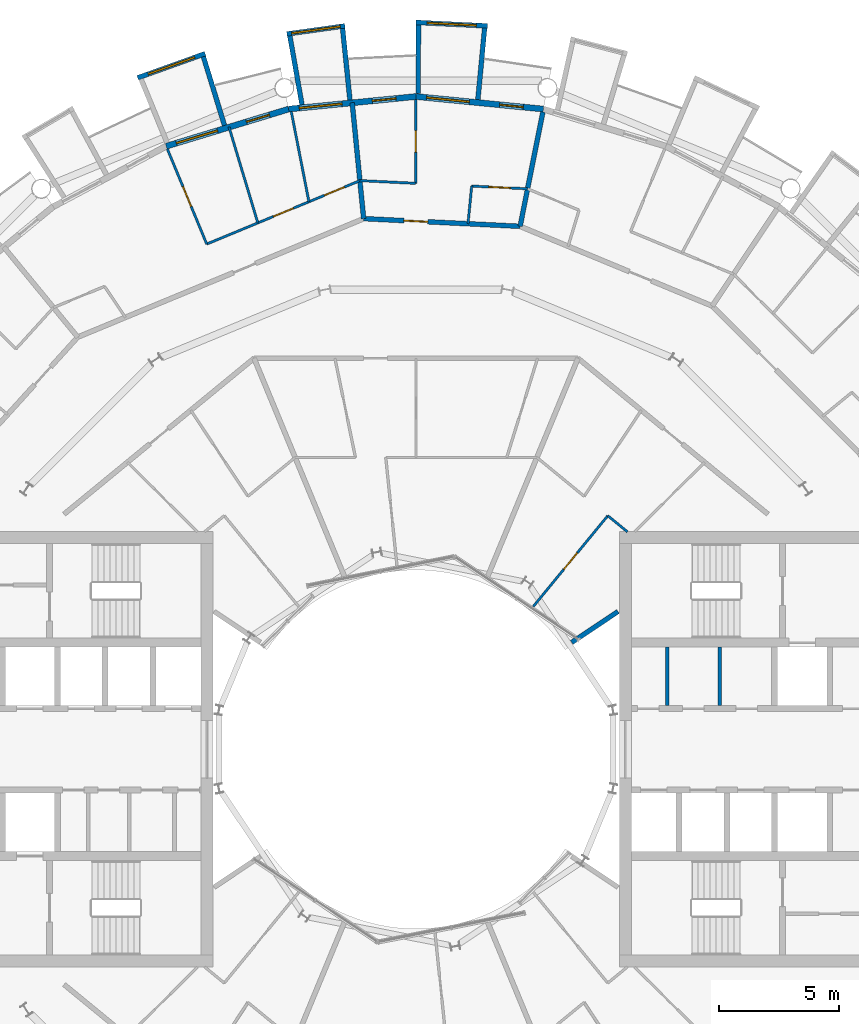
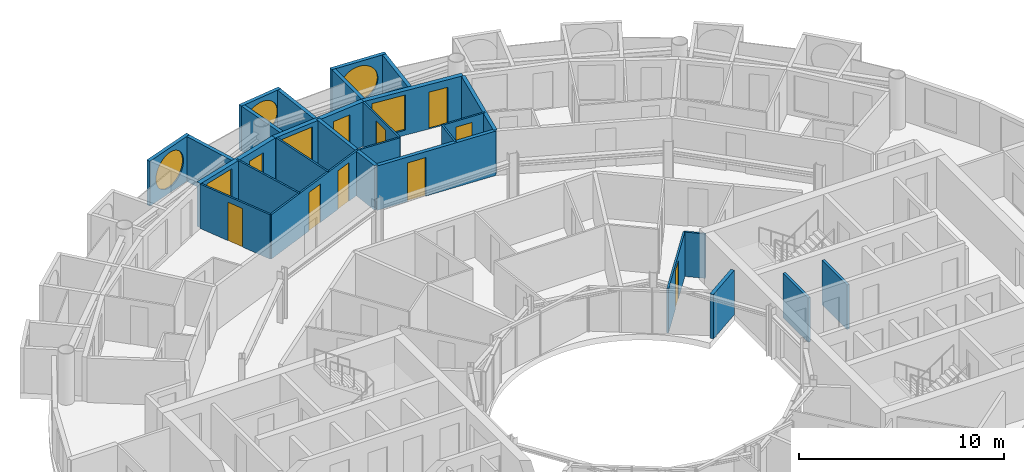
# One storey, part 21 of 26: 27 walls, 10 doors, 6 windows, 16 openings.
"""IFC4 building model written with IfcOpenShell, lengths in metres."""

import ifcopenshell
import ifcopenshell.guid

model = None  # the IFC model being written
_history = None  # IfcOwnerHistory: only IFC2X3 demands one
_inside = {}  # id of a spatial element -> (the spatial element, [elements in it])
_under = {}  # id of a project, library or spatial element -> (it, [spatial elements below it])
_declared = {}  # id of a project -> (the project, [libraries it declares])
_typed = {}  # id of a type object -> (the type object, [elements of that type])
_made_of = {}  # id of a material, layer set ... -> (it, [elements and type objects made of it])


def new_model(schema):
    """Start an empty IFC model of exactly this schema.

    Asked for "IFC4X3", IfcOpenShell would pick the latest addendum, in which some entities
    have other attributes; the version numbers below select the first issue.
    IFC2X3 requires an IfcOwnerHistory on every rooted entity: one is made here for all.
    """
    global model, _history
    if schema == "IFC4X3":
        model = ifcopenshell.file(schema_version=(4, 3, 0, 0))
    else:
        model = ifcopenshell.file(schema=schema)
    _inside.clear()
    _under.clear()
    _declared.clear()
    _typed.clear()
    _made_of.clear()
    _history = None
    if model.schema == "IFC2X3":
        org = make("IfcOrganization", Name="unknown")
        user = make(
            "IfcPersonAndOrganization",
            ThePerson=make("IfcPerson", FamilyName="unknown"),
            TheOrganization=org,
        )
        app = make(
            "IfcApplication",
            ApplicationDeveloper=org,
            Version="unknown",
            ApplicationFullName="unknown",
            ApplicationIdentifier="unknown",
        )
        _history = make(
            "IfcOwnerHistory",
            OwningUser=user,
            OwningApplication=app,
            ChangeAction="ADDED",
            CreationDate=0,
        )
    return model


def make(cls, **values):
    """One entity of the class cls with the attributes given. An attribute that is None is left unset."""
    return model.create_entity(
        cls, **{name: value for name, value in values.items() if value is not None}
    )


def rooted(cls, **values):
    """An entity with a GlobalId (a new one), such as an element, a storey or a relation."""
    return make(cls, GlobalId=ifcopenshell.guid.new(), OwnerHistory=_history, **values)


def si_unit(unit_type, name, prefix=None):
    """IfcSIUnit, for example si_unit("LENGTHUNIT", "METRE", prefix="MILLI")."""
    return make("IfcSIUnit", UnitType=unit_type, Prefix=prefix, Name=name)


def assignment(units):
    """IfcUnitAssignment: the units of a project."""
    return None if units is None else make("IfcUnitAssignment", Units=units)


def point(xyz):
    """IfcCartesianPoint."""
    return None if xyz is None else make("IfcCartesianPoint", Coordinates=xyz)


def direction(xyz):
    """IfcDirection."""
    return None if xyz is None else make("IfcDirection", DirectionRatios=xyz)


def frame(location, z_axis=None, x_axis=None):
    """IfcAxis2Placement3D, a coordinate frame: its origin and axes. An axis left out is left unset."""
    return make(
        "IfcAxis2Placement3D",
        Location=point(location),
        Axis=direction(z_axis),
        RefDirection=direction(x_axis),
    )


def frame_2d(location, x_axis=None):
    """IfcAxis2Placement2D, a coordinate frame in the plane: its origin and x axis."""
    return make(
        "IfcAxis2Placement2D", Location=point(location), RefDirection=direction(x_axis)
    )


def origin():
    """The frame at (0, 0, 0) with its axes left unset."""
    return frame((0.0, 0.0, 0.0))


def place(relative_to, where):
    """IfcLocalPlacement: puts the frame where relative to a parent placement (None: the world)."""
    return make(
        "IfcLocalPlacement", PlacementRelTo=relative_to, RelativePlacement=where
    )


def context(
    kind, dimensions, precision=None, world=None, true_north=None, identifier=None
):
    """IfcGeometricRepresentationContext, for example the 3D "Model" context."""
    return make(
        "IfcGeometricRepresentationContext",
        ContextIdentifier=identifier,
        ContextType=kind,
        CoordinateSpaceDimension=dimensions,
        Precision=precision,
        WorldCoordinateSystem=world,
        TrueNorth=true_north,
    )


def subcontext(parent, identifier, kind, view, scale=None):
    """IfcGeometricRepresentationSubContext, for example "Body" below "Model"."""
    return make(
        "IfcGeometricRepresentationSubContext",
        ContextIdentifier=identifier,
        ContextType=kind,
        ParentContext=parent,
        TargetScale=scale,
        TargetView=view,
    )


def project(units=None, contexts=None):
    """IfcProject with its units and contexts."""
    return rooted(
        "IfcProject",
        Name="project",
        RepresentationContexts=contexts,
        UnitsInContext=assignment(units),
    )


def spatial(cls, under=None, at=None, **own):
    """A site, building, storey or space (cls), placed at a placement, below another one or the project."""
    s = rooted(cls, ObjectPlacement=at, **own)
    if under is not None:
        _under.setdefault(under.id(), (under, []))[1].append(s)
    return s


def profile(cls, at=None, kind="AREA", **sizes):
    """A parametric profile (cls). Its sizes go by their IFC names, for example OverallWidth=200.0."""
    return make(cls, ProfileType=kind, Position=at, **sizes)


def rectangle(**sizes):
    """IfcRectangleProfileDef."""
    return profile("IfcRectangleProfileDef", **sizes)


def circle(**sizes):
    """IfcCircleProfileDef."""
    return profile("IfcCircleProfileDef", **sizes)


def extrude(swept, where, along, depth):
    """IfcExtrudedAreaSolid: the profile swept, set in the frame where, extruded along a direction by depth."""
    return make(
        "IfcExtrudedAreaSolid",
        SweptArea=swept,
        Position=where,
        ExtrudedDirection=direction(along),
        Depth=depth,
    )


def shape(context_of_items, identifier, shape_type, items):
    """IfcShapeRepresentation: the items that make up one representation, for example the "Body"."""
    return make(
        "IfcShapeRepresentation",
        ContextOfItems=context_of_items,
        RepresentationIdentifier=identifier,
        RepresentationType=shape_type,
        Items=items,
    )


def material(Name=None, Category=None):
    """IfcMaterial."""
    return make("IfcMaterial", Name=Name, Category=Category)


def layer(
    of_material, thickness, ventilated=None, Name=None, Category=None, Priority=None
):
    """IfcMaterialLayer: one layer of a wall or slab, of a material (None: an air gap)."""
    return make(
        "IfcMaterialLayer",
        Material=of_material,
        LayerThickness=thickness,
        IsVentilated=ventilated,
        Name=Name,
        Category=Category,
        Priority=Priority,
    )


def layer_set(layers, Name=None):
    """IfcMaterialLayerSet."""
    return make("IfcMaterialLayerSet", MaterialLayers=layers, LayerSetName=Name)


def made_of(thing, what):
    """Note that an element or type object is made of a material, layer set ...; save() writes the relation."""
    if what is not None:
        _made_of.setdefault(what.id(), (what, []))[1].append(thing)
    return thing


def type_object(cls, material=None, **own):
    """A type object (cls), such as IfcWallType, which elements share."""
    return made_of(rooted(cls, **own), material)


def element(
    cls,
    number,
    at=None,
    inside=None,
    cuts=None,
    type_object=None,
    material=None,
    context=None,
    identifier="Body",
    shape_type=None,
    held_by="IfcProductDefinitionShape",
    body=None,
    shapes=None,
    **own,
):
    """One element of the class cls, such as IfcWall. Its Tag is "e" and its number.

    at: its placement. inside: the storey or other place that contains it. cuts: it is an
    opening in that element (IfcRelVoidsElement). A single representation is given by context,
    identifier, shape_type and body (its items); several are given by shapes. held_by: the class
    of the entity that holds the representations. save() writes the other relations.
    """
    e = rooted(cls, Tag="e%d" % number, ObjectPlacement=at, **own)
    if body is not None:
        shapes = [shape(context, identifier, shape_type, body)]
    if shapes is not None:
        e.Representation = make(held_by, Representations=shapes)
    if inside is not None:
        _inside.setdefault(inside.id(), (inside, []))[1].append(e)
    if cuts is not None:
        rooted(
            "IfcRelVoidsElement", RelatingBuildingElement=cuts, RelatedOpeningElement=e
        )
    if type_object is not None:
        _typed.setdefault(type_object.id(), (type_object, []))[1].append(e)
    return made_of(e, material)


def fill(opening, filler):
    """IfcRelFillsElement: the door or window that sits in an opening."""
    return rooted(
        "IfcRelFillsElement",
        RelatingOpeningElement=opening,
        RelatedBuildingElement=filler,
    )


def aggregate(whole, parts):
    """IfcRelAggregates: a whole, such as a stair, and the parts it consists of."""
    return rooted("IfcRelAggregates", RelatingObject=whole, RelatedObjects=parts)


def save(model, path):
    """Write the relations noted so far, then the file.

    IfcRelAggregates (storeys below a building ...), IfcRelContainedInSpatialStructure (elements
    in a storey), IfcRelDefinesByType, IfcRelAssociatesMaterial and IfcRelDeclares: one each for
    every whole, place, type object, material and project.
    """
    for whole, parts in _under.values():
        aggregate(whole, parts)
    for where, things in _inside.values():
        rooted(
            "IfcRelContainedInSpatialStructure",
            RelatedElements=things,
            RelatingStructure=where,
        )
    for kind, things in _typed.values():
        rooted("IfcRelDefinesByType", RelatedObjects=things, RelatingType=kind)
    for what, things in _made_of.values():
        rooted("IfcRelAssociatesMaterial", RelatedObjects=things, RelatingMaterial=what)
    for by, libraries in _declared.values():
        rooted("IfcRelDeclares", RelatingContext=by, RelatedDefinitions=libraries)
    model.write(path)


model = new_model("IFC4")

# Units and contexts
model_context = context("Model", 3, precision=1e-05, world=origin(), true_north=direction((0.0, 1.0)))
body_context = subcontext(model_context, "Body", "Model", "MODEL_VIEW")
ifc_project = project(units=[si_unit("LENGTHUNIT", "METRE"), si_unit("AREAUNIT", "SQUARE_METRE"), si_unit("VOLUMEUNIT", "CUBIC_METRE"), si_unit("PLANEANGLEUNIT", "RADIAN"), si_unit("MASSUNIT", "GRAM", prefix="KILO")], contexts=[model_context])

# Site, building, storey
site_placement = place(None, origin())
site = spatial("IfcSite", under=ifc_project, at=site_placement, CompositionType="ELEMENT")
building_placement = place(site_placement, origin())
building = spatial("IfcBuilding", under=site, at=building_placement, Name="Maasbend Ring Residences", CompositionType="ELEMENT")
storey_placement = place(building_placement, frame((0.0, 0.0, 176.85009765625)))
storey = spatial("IfcBuildingStorey", under=building, at=storey_placement, Name="L51", CompositionType="ELEMENT", Elevation=176.85009765625)

# Wall, opening, door
ifc_material_1 = material(Name="Concrete C30/37", Category="concrete")
ifc_layer_1 = layer(ifc_material_1, 0.199951171875)
ifc_layer_set_1 = layer_set([ifc_layer_1], Name="Concrete C30/37")
wall_type_1 = type_object("IfcWallType", Name="CORRIDOR WALL 200 CONCRETE", PredefinedType="PARTITIONING", material=ifc_layer_set_1)
wall_1_placement = place(storey_placement, frame((-2.18603515625, 22.193115234375, 0.0), z_axis=(0.0, 0.0, 1.0), x_axis=(0.998796224858, -0.049052025534, 0.0)))
wall_1 = element("IfcWall", 1, at=wall_1_placement, inside=storey, type_object=wall_type_1, Name="U-L51-w113", PredefinedType="PARTITIONING", context=body_context, shape_type="SweptSolid", body=[
    extrude(rectangle(XDim=6.544921875, YDim=0.199951171875, at=frame_2d((3.2724609375, 0.0))), origin(), (0.0, 0.0, 1.0), 2.64990234375),
])
opening_1_placement = place(wall_1_placement, frame((1.681884765625, 0.0, 0.0)))
opening_1 = element("IfcOpeningElement", 2, at=opening_1_placement, cuts=wall_1, Name="Opening D-5109", PredefinedType="OPENING", context=body_context, shape_type="SweptSolid", body=[
    extrude(rectangle(XDim=1.0, YDim=2.300048828125, at=frame_2d((0.5, 1.14990234375))), frame((0.0, 0.10986328125, 0.0), z_axis=(0.0, -1.0, 0.0), x_axis=(1.0, 0.0, 0.0)), (0.0, 0.0, 1.0), 0.219970703125),
])
ifc_material_2 = material(Name="Timber, fire-rated, painted", Category="wood")
door_type_1 = type_object("IfcDoorType", Name="FLAT ENTRANCE DOOR 1000 X 2300 FIRE-RATED", OperationType="NOTDEFINED", PredefinedType="DOOR", material=ifc_material_2)
door_1_placement = place(opening_1_placement, origin())
door_1 = element("IfcDoor", 3, at=door_1_placement, inside=storey, type_object=door_type_1, Name="D-5109", OperationType="SINGLE_SWING_LEFT", OverallHeight=2.300048828125, OverallWidth=1.0, PredefinedType="DOOR", context=body_context, shape_type="SweptSolid", body=[
    extrude(rectangle(XDim=1.0, YDim=2.300048828125, at=frame_2d((0.5, 1.14990234375))), frame((0.0, 0.02490234375, 0.0), z_axis=(0.0, -1.0, 0.0), x_axis=(1.0, 0.0, 0.0)), (0.0, 0.0, 1.0), 0.050048828125),
])
fill(opening_1, door_1)

# Wall, opening, window
ifc_material_3 = material(Name="Pale anodised aluminium panel", Category="aluminium")
ifc_layer_2 = layer(ifc_material_3, 0.199951171875)
ifc_layer_set_2 = layer_set([ifc_layer_2], Name="EW-BOX")
wall_type_2 = type_object("IfcWallType", Name="EW-BOX", PredefinedType="SOLIDWALL", material=ifc_layer_set_2)
wall_2_placement = place(storey_placement, frame((2.985107421875, 30.2529296875, -0.030029296875), z_axis=(0.0, 0.0, 1.0), x_axis=(-0.998794083011, 0.049095618353, 0.0)))
wall_2 = element("IfcWall", 4, at=wall_2_placement, inside=storey, type_object=wall_type_2, Name="Box front N10", PredefinedType="SOLIDWALL", context=body_context, shape_type="SweptSolid", body=[
    extrude(rectangle(XDim=2.99365234375, YDim=0.199951171875, at=frame_2d((1.496826171875, 0.0))), origin(), (0.0, 0.0, 1.0), 2.679931640625),
])
opening_2_placement = place(wall_2_placement, frame((0.45654296875, 0.0, 0.330078125)))
opening_2 = element("IfcOpeningElement", 5, at=opening_2_placement, cuts=wall_2, Name="Opening W-RD", PredefinedType="OPENING", context=body_context, shape_type="SweptSolid", body=[
    extrude(circle(Radius=1.0400390625, at=frame_2d((1.0400390625, 1.0400390625))), frame((0.0, 0.10986328125, 0.0), z_axis=(0.0, -1.0, 0.0), x_axis=(1.0, 0.0, 0.0)), (0.0, 0.0, 1.0), 0.219970703125),
])
ifc_material_4 = material(Name="Aluminium and clear glass", Category="aluminium")
window_type_1 = type_object("IfcWindowType", Name="W-RD", PartitioningType="SINGLE_PANEL", PredefinedType="WINDOW", material=ifc_material_4)
window_1_placement = place(opening_2_placement, origin())
window_1 = element("IfcWindow", 6, at=window_1_placement, inside=storey, type_object=window_type_1, Name="Round window N10", OverallHeight=2.080078125, OverallWidth=2.080078125, PartitioningType="SINGLE_PANEL", PredefinedType="WINDOW", context=body_context, shape_type="SweptSolid", body=[
    extrude(circle(Radius=1.0400390625, at=frame_2d((1.0400390625, 1.0400390625))), frame((0.0, 0.030029296875, 0.0), z_axis=(0.0, -1.0, 0.0), x_axis=(1.0, 0.0, 0.0)), (0.0, 0.0, 1.0), 0.06005859375),
])
fill(opening_2, window_1)

# Walls
wall_3_placement = place(storey_placement, frame((2.5859375, 27.1708984375, -0.030029296875), z_axis=(0.0, 0.0, 1.0), x_axis=(0.094548432284, 0.995520262954, 0.0)))
element("IfcWall", 7, at=wall_3_placement, inside=storey, type_object=wall_type_2, Name="Box side wall N10 left", PredefinedType="SOLIDWALL", context=body_context, shape_type="SweptSolid", body=[
    extrude(rectangle(XDim=3.005615234375, YDim=0.199951171875, at=frame_2d((1.5029296875, 0.0))), origin(), (0.0, 0.0, 1.0), 2.679931640625),
])
wall_4_placement = place(storey_placement, frame((0.090087890625, 27.4169921875, -0.030029296875), z_axis=(0.0, 0.0, 1.0), x_axis=(0.00347308367, 0.999993968827, 0.0)))
element("IfcWall", 8, at=wall_4_placement, inside=storey, type_object=wall_type_2, Name="Box side wall N10 right", PredefinedType="SOLIDWALL", context=body_context, shape_type="SweptSolid", body=[
    extrude(rectangle(XDim=2.882080078125, YDim=0.199951171875, at=frame_2d((1.44091796875, 0.0))), origin(), (0.0, 0.0, 1.0), 2.679931640625),
])

# Wall, opening, window
wall_5_placement = place(storey_placement, frame((-2.97607421875, 30.25390625, -0.030029296875), z_axis=(0.0, 0.0, 1.0), x_axis=(-0.990462016113, -0.137786046596, 0.0)))
wall_5 = element("IfcWall", 9, at=wall_5_placement, inside=storey, type_object=wall_type_2, Name="Box front N12", PredefinedType="SOLIDWALL", context=body_context, shape_type="SweptSolid", body=[
    extrude(rectangle(XDim=2.4453125, YDim=0.199951171875, at=frame_2d((1.22265625, 0.0))), origin(), (0.0, 0.0, 1.0), 2.679931640625),
])
opening_3_placement = place(wall_5_placement, frame((0.182861328125, 0.0, 0.330078125)))
opening_3 = element("IfcOpeningElement", 10, at=opening_3_placement, cuts=wall_5, Name="Opening W-RD", PredefinedType="OPENING", context=body_context, shape_type="SweptSolid", body=[
    extrude(circle(Radius=1.0400390625, at=frame_2d((1.0400390625, 1.0400390625))), frame((0.0, 0.10986328125, 0.0), z_axis=(0.0, -1.0, 0.0), x_axis=(1.0, 0.0, 0.0)), (0.0, 0.0, 1.0), 0.219970703125),
])
window_2_placement = place(opening_3_placement, origin())
window_2 = element("IfcWindow", 11, at=window_2_placement, inside=storey, type_object=window_type_1, Name="Round window N12", OverallHeight=2.080078125, OverallWidth=2.080078125, PartitioningType="SINGLE_PANEL", PredefinedType="WINDOW", context=body_context, shape_type="SweptSolid", body=[
    extrude(circle(Radius=1.0400390625, at=frame_2d((1.0400390625, 1.0400390625))), frame((0.0, 0.030029296875, 0.0), z_axis=(0.0, -1.0, 0.0), x_axis=(1.0, 0.0, 0.0)), (0.0, 0.0, 1.0), 0.06005859375),
])
fill(opening_3, window_2)

# Walls
wall_6_placement = place(storey_placement, frame((-2.763916015625, 27.153076171875, -0.030029296875), z_axis=(0.0, 0.0, 1.0), x_axis=(-0.101505487237, 0.994834979311, 0.0)))
element("IfcWall", 12, at=wall_6_placement, inside=storey, type_object=wall_type_2, Name="Box side wall N12 left", PredefinedType="SOLIDWALL", context=body_context, shape_type="SweptSolid", body=[
    extrude(rectangle(XDim=3.006591796875, YDim=0.199951171875, at=frame_2d((1.50341796875, 0.0))), origin(), (0.0, 0.0, 1.0), 2.679931640625),
])
wall_7_placement = place(storey_placement, frame((-4.76904296875, 26.9560546875, -0.030029296875), z_axis=(0.0, 0.0, 1.0), x_axis=(-0.174056778901, 0.984735618183, 0.0)))
element("IfcWall", 13, at=wall_7_placement, inside=storey, type_object=wall_type_2, Name="Box side wall N12 right", PredefinedType="SOLIDWALL", context=body_context, shape_type="SweptSolid", body=[
    extrude(rectangle(XDim=2.924560546875, YDim=0.199951171875, at=frame_2d((1.46240234375, 0.0))), origin(), (0.0, 0.0, 1.0), 2.679931640625),
])

# Wall, opening, window
wall_8_placement = place(storey_placement, frame((-8.820068359375, 29.093017578125, -0.030029296875), z_axis=(0.0, 0.0, 1.0), x_axis=(-0.941461077774, -0.337121697664, 0.0)))
wall_8 = element("IfcWall", 14, at=wall_8_placement, inside=storey, type_object=wall_type_2, Name="Box front N14", PredefinedType="SOLIDWALL", context=body_context, shape_type="SweptSolid", body=[
    extrude(rectangle(XDim=2.9931640625, YDim=0.199951171875, at=frame_2d((1.49658203125, 0.0))), origin(), (0.0, 0.0, 1.0), 2.679931640625),
])
opening_4_placement = place(wall_8_placement, frame((0.45654296875, 0.0, 0.330078125)))
opening_4 = element("IfcOpeningElement", 15, at=opening_4_placement, cuts=wall_8, Name="Opening W-RD", PredefinedType="OPENING", context=body_context, shape_type="SweptSolid", body=[
    extrude(circle(Radius=1.0400390625, at=frame_2d((1.0400390625, 1.0400390625))), frame((0.0, 0.10986328125, 0.0), z_axis=(0.0, -1.0, 0.0), x_axis=(1.0, 0.0, 0.0)), (0.0, 0.0, 1.0), 0.219970703125),
])
window_3_placement = place(opening_4_placement, origin())
window_3 = element("IfcWindow", 16, at=window_3_placement, inside=storey, type_object=window_type_1, Name="Round window N14", OverallHeight=2.080078125, OverallWidth=2.080078125, PartitioningType="SINGLE_PANEL", PredefinedType="WINDOW", context=body_context, shape_type="SweptSolid", body=[
    extrude(circle(Radius=1.0400390625, at=frame_2d((1.0400390625, 1.0400390625))), frame((0.0, 0.030029296875, 0.0), z_axis=(0.0, -1.0, 0.0), x_axis=(1.0, 0.0, 0.0)), (0.0, 0.0, 1.0), 0.06005859375),
])
fill(opening_4, window_3)

# Wall
wall_9_placement = place(storey_placement, frame((-8.009033203125, 26.092041015625, -0.030029296875), z_axis=(0.0, 0.0, 1.0), x_axis=(-0.293406695073, 0.955987715029, 0.0)))
element("IfcWall", 17, at=wall_9_placement, inside=storey, type_object=wall_type_2, Name="Box side wall N14 left", PredefinedType="SOLIDWALL", context=body_context, shape_type="SweptSolid", body=[
    extrude(rectangle(XDim=3.00634765625, YDim=0.199951171875, at=frame_2d((1.503173828125, 0.0))), origin(), (0.0, 0.0, 1.0), 2.679931640625),
])

# Wall, openings, door, window
ifc_material_5 = material(Name="Aluminium clad insulated panel", Category="aluminium")
ifc_layer_3 = layer(ifc_material_5, 0.25)
ifc_layer_set_3 = layer_set([ifc_layer_3], Name="EW-GL")
wall_type_3 = type_object("IfcWallType", Name="EW-GL", PredefinedType="SOLIDWALL", material=ifc_layer_set_3)
wall_10_placement = place(storey_placement, frame((5.325927734375, 26.77490234375, 0.0), z_axis=(0.0, 0.0, 1.0), x_axis=(-0.995173996315, 0.098126026407, 0.0)))
wall_10 = element("IfcWall", 18, at=wall_10_placement, inside=storey, type_object=wall_type_3, Name="External wall N05", PredefinedType="SOLIDWALL", context=body_context, shape_type="SweptSolid", body=[
    extrude(rectangle(XDim=5.351806640625, YDim=0.25, at=frame_2d((2.67578125, 0.0))), origin(), (0.0, 0.0, 1.0), 2.64990234375),
])
opening_5_placement = place(wall_10_placement, frame((0.841064453125, 0.0, 0.0)))
opening_5 = element("IfcOpeningElement", 19, at=opening_5_placement, cuts=wall_10, Name="Opening D-LG", PredefinedType="OPENING", context=body_context, shape_type="SweptSolid", body=[
    extrude(rectangle(XDim=1.0, YDim=2.199951171875, at=frame_2d((0.5, 1.10009765625))), frame((0.0, 0.135009765625, 0.0), z_axis=(0.0, -1.0, 0.0), x_axis=(1.0, 0.0, 0.0)), (0.0, 0.0, 1.0), 0.27001953125),
])
opening_6_placement = place(wall_10_placement, frame((3.110595703125, 0.0, 0.300048828125)))
opening_6 = element("IfcOpeningElement", 20, at=opening_6_placement, cuts=wall_10, Name="Opening W-BX", PredefinedType="OPENING", context=body_context, shape_type="SweptSolid", body=[
    extrude(rectangle(XDim=1.800048828125, YDim=2.10009765625, at=frame_2d((0.89990234375, 1.050048828125))), frame((0.0, 0.135009765625, 0.0), z_axis=(0.0, -1.0, 0.0), x_axis=(1.0, 0.0, 0.0)), (0.0, 0.0, 1.0), 0.27001953125),
])
ifc_material_6 = material(Name="Aluminium and clear glass", Category="aluminium")
door_type_2 = type_object("IfcDoorType", Name="D-LG", OperationType="SINGLE_SWING_LEFT", PredefinedType="DOOR", material=ifc_material_6)
door_2_placement = place(opening_5_placement, origin())
door_2 = element("IfcDoor", 21, at=door_2_placement, inside=storey, type_object=door_type_2, Name="Loggia door N09", OperationType="SINGLE_SWING_LEFT", OverallHeight=2.199951171875, OverallWidth=1.0, PredefinedType="DOOR", context=body_context, shape_type="SweptSolid", body=[
    extrude(rectangle(XDim=1.0, YDim=2.199951171875, at=frame_2d((0.5, 1.10009765625))), frame((0.0, 0.02490234375, 0.0), z_axis=(0.0, -1.0, 0.0), x_axis=(1.0, 0.0, 0.0)), (0.0, 0.0, 1.0), 0.050048828125),
])
fill(opening_5, door_2)
ifc_material_7 = material(Name="Aluminium and clear glass", Category="aluminium")
window_type_2 = type_object("IfcWindowType", Name="W-BX", PartitioningType="DOUBLE_PANEL_VERTICAL", PredefinedType="WINDOW", material=ifc_material_7)
window_4_placement = place(opening_6_placement, origin())
window_4 = element("IfcWindow", 22, at=window_4_placement, inside=storey, type_object=window_type_2, Name="Window N10 room to box", OverallHeight=2.10009765625, OverallWidth=1.800048828125, PartitioningType="SINGLE_PANEL", PredefinedType="WINDOW", context=body_context, shape_type="SweptSolid", body=[
    extrude(rectangle(XDim=1.800048828125, YDim=2.10009765625, at=frame_2d((0.89990234375, 1.050048828125))), frame((0.0, 0.030029296875, 0.0), z_axis=(0.0, -1.0, 0.0), x_axis=(1.0, 0.0, 0.0)), (0.0, 0.0, 1.0), 0.06005859375),
])
fill(opening_6, window_4)

wall_11_placement = place(storey_placement, frame((0.0, 27.300048828125, 0.0), z_axis=(0.0, 0.0, 1.0), x_axis=(-0.995173996315, -0.098126026407, 0.0)))
wall_11 = element("IfcWall", 23, at=wall_11_placement, inside=storey, type_object=wall_type_3, Name="External wall N06", PredefinedType="SOLIDWALL", context=body_context, shape_type="SweptSolid", body=[
    extrude(rectangle(XDim=5.351806640625, YDim=0.25, at=frame_2d((2.67578125, 0.0))), origin(), (0.0, 0.0, 1.0), 2.64990234375),
])
opening_7_placement = place(wall_11_placement, frame((0.841064453125, 0.0, 0.0)))
opening_7 = element("IfcOpeningElement", 24, at=opening_7_placement, cuts=wall_11, Name="Opening D-LG", PredefinedType="OPENING", context=body_context, shape_type="SweptSolid", body=[
    extrude(rectangle(XDim=1.0, YDim=2.199951171875, at=frame_2d((0.5, 1.10009765625))), frame((0.0, 0.135009765625, 0.0), z_axis=(0.0, -1.0, 0.0), x_axis=(1.0, 0.0, 0.0)), (0.0, 0.0, 1.0), 0.27001953125),
])
opening_8_placement = place(wall_11_placement, frame((3.110595703125, 0.0, 0.300048828125)))
opening_8 = element("IfcOpeningElement", 25, at=opening_8_placement, cuts=wall_11, Name="Opening W-BX", PredefinedType="OPENING", context=body_context, shape_type="SweptSolid", body=[
    extrude(rectangle(XDim=1.800048828125, YDim=2.10009765625, at=frame_2d((0.89990234375, 1.050048828125))), frame((0.0, 0.135009765625, 0.0), z_axis=(0.0, -1.0, 0.0), x_axis=(1.0, 0.0, 0.0)), (0.0, 0.0, 1.0), 0.27001953125),
])
door_3_placement = place(opening_7_placement, origin())
door_3 = element("IfcDoor", 26, at=door_3_placement, inside=storey, type_object=door_type_2, Name="Loggia door N11", OperationType="SINGLE_SWING_LEFT", OverallHeight=2.199951171875, OverallWidth=1.0, PredefinedType="DOOR", context=body_context, shape_type="SweptSolid", body=[
    extrude(rectangle(XDim=1.0, YDim=2.199951171875, at=frame_2d((0.5, 1.10009765625))), frame((0.0, 0.02490234375, 0.0), z_axis=(0.0, -1.0, 0.0), x_axis=(1.0, 0.0, 0.0)), (0.0, 0.0, 1.0), 0.050048828125),
])
fill(opening_7, door_3)
window_5_placement = place(opening_8_placement, origin())
window_5 = element("IfcWindow", 27, at=window_5_placement, inside=storey, type_object=window_type_2, Name="Window N12 room to box", OverallHeight=2.10009765625, OverallWidth=1.800048828125, PartitioningType="SINGLE_PANEL", PredefinedType="WINDOW", context=body_context, shape_type="SweptSolid", body=[
    extrude(rectangle(XDim=1.800048828125, YDim=2.10009765625, at=frame_2d((0.89990234375, 1.050048828125))), frame((0.0, 0.030029296875, 0.0), z_axis=(0.0, -1.0, 0.0), x_axis=(1.0, 0.0, 0.0)), (0.0, 0.0, 1.0), 0.06005859375),
])
fill(opening_8, window_5)

wall_12_placement = place(storey_placement, frame((-5.325927734375, 26.77490234375, 0.0), z_axis=(0.0, 0.0, 1.0), x_axis=(-0.956965678721, -0.290201119486, 0.0)))
wall_12 = element("IfcWall", 28, at=wall_12_placement, inside=storey, type_object=wall_type_3, Name="External wall N07", PredefinedType="SOLIDWALL", context=body_context, shape_type="SweptSolid", body=[
    extrude(rectangle(XDim=5.351318359375, YDim=0.25, at=frame_2d((2.67578125, 0.0))), origin(), (0.0, 0.0, 1.0), 2.64990234375),
])
opening_9_placement = place(wall_12_placement, frame((0.841064453125, 0.0, 0.0)))
opening_9 = element("IfcOpeningElement", 29, at=opening_9_placement, cuts=wall_12, Name="Opening D-LG", PredefinedType="OPENING", context=body_context, shape_type="SweptSolid", body=[
    extrude(rectangle(XDim=1.0, YDim=2.199951171875, at=frame_2d((0.5, 1.10009765625))), frame((0.0, 0.135009765625, 0.0), z_axis=(0.0, -1.0, 0.0), x_axis=(1.0, 0.0, 0.0)), (0.0, 0.0, 1.0), 0.27001953125),
])
opening_10_placement = place(wall_12_placement, frame((3.110595703125, 0.0, 0.300048828125)))
opening_10 = element("IfcOpeningElement", 30, at=opening_10_placement, cuts=wall_12, Name="Opening W-BX", PredefinedType="OPENING", context=body_context, shape_type="SweptSolid", body=[
    extrude(rectangle(XDim=1.800048828125, YDim=2.10009765625, at=frame_2d((0.89990234375, 1.050048828125))), frame((0.0, 0.135009765625, 0.0), z_axis=(0.0, -1.0, 0.0), x_axis=(1.0, 0.0, 0.0)), (0.0, 0.0, 1.0), 0.27001953125),
])
door_4_placement = place(opening_9_placement, origin())
door_4 = element("IfcDoor", 31, at=door_4_placement, inside=storey, type_object=door_type_2, Name="Loggia door N13", OperationType="SINGLE_SWING_LEFT", OverallHeight=2.199951171875, OverallWidth=1.0, PredefinedType="DOOR", context=body_context, shape_type="SweptSolid", body=[
    extrude(rectangle(XDim=1.0, YDim=2.199951171875, at=frame_2d((0.5, 1.10009765625))), frame((0.0, 0.02490234375, 0.0), z_axis=(0.0, -1.0, 0.0), x_axis=(1.0, 0.0, 0.0)), (0.0, 0.0, 1.0), 0.050048828125),
])
fill(opening_9, door_4)
window_6_placement = place(opening_10_placement, origin())
window_6 = element("IfcWindow", 32, at=window_6_placement, inside=storey, type_object=window_type_2, Name="Window N14 room to box", OverallHeight=2.10009765625, OverallWidth=1.800048828125, PartitioningType="SINGLE_PANEL", PredefinedType="WINDOW", context=body_context, shape_type="SweptSolid", body=[
    extrude(rectangle(XDim=1.800048828125, YDim=2.10009765625, at=frame_2d((0.89990234375, 1.050048828125))), frame((0.0, 0.030029296875, 0.0), z_axis=(0.0, -1.0, 0.0), x_axis=(1.0, 0.0, 0.0)), (0.0, 0.0, 1.0), 0.06005859375),
])
fill(opening_10, window_6)

# Wall, opening, door
ifc_material_8 = material(Name="Gypsum board on steel studs", Category="steel")
ifc_layer_4 = layer(ifc_material_8, 0.10009765625)
ifc_layer_set_4 = layer_set([ifc_layer_4], Name="PARTITION 100 GYPSUM")
wall_type_4 = type_object("IfcWallType", Name="PARTITION 100 GYPSUM", PredefinedType="PARTITIONING", material=ifc_layer_set_4)
wall_13_placement = place(storey_placement, frame((-10.39892578125, 25.10595703125, 0.0), z_axis=(0.0, 0.0, 1.0), x_axis=(0.382689142274, -0.923877167369, 0.0)))
wall_13 = element("IfcWall", 33, at=wall_13_placement, inside=storey, type_object=wall_type_4, Name="U-L51-w045", PredefinedType="PARTITIONING", context=body_context, shape_type="SweptSolid", body=[
    extrude(rectangle(XDim=4.3037109375, YDim=0.10009765625, at=frame_2d((2.15185546875, 0.0))), origin(), (0.0, 0.0, 1.0), 2.64990234375),
])
opening_11_placement = place(wall_13_placement, frame((1.701904296875, 0.0, 0.0)))
opening_11 = element("IfcOpeningElement", 34, at=opening_11_placement, cuts=wall_13, Name="Opening D-5114", PredefinedType="OPENING", context=body_context, shape_type="SweptSolid", body=[
    extrude(rectangle(XDim=0.89990234375, YDim=2.300048828125, at=frame_2d((0.449951171875, 1.14990234375))), frame((0.0, 0.06005859375, 0.0), z_axis=(0.0, -1.0, 0.0), x_axis=(1.0, 0.0, 0.0)), (0.0, 0.0, 1.0), 0.1201171875),
])
ifc_material_9 = material(Name="Timber, painted", Category="wood")
door_type_3 = type_object("IfcDoorType", Name="INTERNAL DOOR 900 X 2300", OperationType="NOTDEFINED", PredefinedType="DOOR", material=ifc_material_9)
door_5_placement = place(opening_11_placement, origin())
door_5 = element("IfcDoor", 35, at=door_5_placement, inside=storey, type_object=door_type_3, Name="D-5114", OperationType="SINGLE_SWING_LEFT", OverallHeight=2.300048828125, OverallWidth=0.89990234375, PredefinedType="DOOR", context=body_context, shape_type="SweptSolid", body=[
    extrude(rectangle(XDim=0.89990234375, YDim=2.300048828125, at=frame_2d((0.449951171875, 1.14990234375))), frame((0.0, 0.02490234375, 0.0), z_axis=(0.0, -1.0, 0.0), x_axis=(1.0, 0.0, 0.0)), (0.0, 0.0, 1.0), 0.050048828125),
])
fill(opening_11, door_5)

# Walls
wall_14_placement = place(storey_placement, frame((-7.821044921875, 26.02490234375, 0.0), z_axis=(0.0, 0.0, 1.0), x_axis=(0.287802539521, -0.957689771401, 0.0)))
element("IfcWall", 36, at=wall_14_placement, inside=storey, type_object=wall_type_4, Name="U-L51-w050", PredefinedType="PARTITIONING", context=body_context, shape_type="SweptSolid", body=[
    extrude(rectangle(XDim=4.187255859375, YDim=0.10009765625, at=frame_2d((2.09375, 0.0))), origin(), (0.0, 0.0, 1.0), 2.64990234375),
])
wall_15_placement = place(storey_placement, frame((-5.217041015625, 26.669921875, 0.0), z_axis=(0.0, 0.0, 1.0), x_axis=(0.192118055779, -0.981371821811, 0.0)))
element("IfcWall", 37, at=wall_15_placement, inside=storey, type_object=wall_type_4, Name="U-L51-w054", PredefinedType="PARTITIONING", context=body_context, shape_type="SweptSolid", body=[
    extrude(rectangle(XDim=3.841552734375, YDim=0.10009765625, at=frame_2d((1.9208984375, 0.0))), origin(), (0.0, 0.0, 1.0), 2.64990234375),
])

# Wall, opening, door
wall_16_placement = place(storey_placement, frame((-0.008056640625, 23.669921875, 0.0), z_axis=(0.0, 0.0, 1.0), x_axis=(-0.000278609727, 0.999999961188, 0.0)))
wall_16 = element("IfcWall", 38, at=wall_16_placement, inside=storey, type_object=wall_type_4, Name="U-L51-w060", PredefinedType="PARTITIONING", context=body_context, shape_type="SweptSolid", body=[
    extrude(rectangle(XDim=3.505126953125, YDim=0.10009765625, at=frame_2d((1.75244140625, 0.0))), origin(), (0.0, 0.0, 1.0), 2.64990234375),
])
opening_12_placement = place(wall_16_placement, frame((1.302978515625, 0.0, 0.0)))
opening_12 = element("IfcOpeningElement", 39, at=opening_12_placement, cuts=wall_16, Name="Opening D-5111", PredefinedType="OPENING", context=body_context, shape_type="SweptSolid", body=[
    extrude(rectangle(XDim=0.89990234375, YDim=2.300048828125, at=frame_2d((0.449951171875, 1.14990234375))), frame((0.0, 0.06005859375, 0.0), z_axis=(0.0, -1.0, 0.0), x_axis=(1.0, 0.0, 0.0)), (0.0, 0.0, 1.0), 0.1201171875),
])
door_6_placement = place(opening_12_placement, origin())
door_6 = element("IfcDoor", 40, at=door_6_placement, inside=storey, type_object=door_type_3, Name="D-5111", OperationType="SINGLE_SWING_RIGHT", OverallHeight=2.300048828125, OverallWidth=0.89990234375, PredefinedType="DOOR", context=body_context, shape_type="SweptSolid", body=[
    extrude(rectangle(XDim=0.89990234375, YDim=2.300048828125, at=frame_2d((0.449951171875, 1.14990234375))), frame((0.0, 0.02490234375, 0.0), z_axis=(0.0, -1.0, 0.0), x_axis=(1.0, 0.0, 0.0)), (0.0, 0.0, 1.0), 0.050048828125),
])
fill(opening_12, door_6)

# Wall
wall_17_placement = place(storey_placement, frame((2.172119140625, 21.97900390625, 0.0), z_axis=(0.0, 0.0, 1.0), x_axis=(0.098358845227, 0.995151012443, 0.0)))
element("IfcWall", 41, at=wall_17_placement, inside=storey, type_object=wall_type_4, Name="U-L51-w065", PredefinedType="PARTITIONING", context=body_context, shape_type="SweptSolid", body=[
    extrude(rectangle(XDim=1.58349609375, YDim=0.10009765625, at=frame_2d((0.791748046875, 0.0))), origin(), (0.0, 0.0, 1.0), 2.64990234375),
])

# Wall, opening, door
wall_18_placement = place(storey_placement, frame((4.89794921875, 5.968017578125, 0.0), z_axis=(0.0, 0.0, 1.0), x_axis=(0.634401778971, 0.773003481776, 0.0)))
wall_18 = element("IfcWall", 42, at=wall_18_placement, inside=storey, type_object=wall_type_4, Name="U-L51-w074", PredefinedType="PARTITIONING", context=body_context, shape_type="SweptSolid", body=[
    extrude(rectangle(XDim=4.919677734375, YDim=0.10009765625, at=frame_2d((2.4599609375, 0.0))), origin(), (0.0, 0.0, 1.0), 2.64990234375),
])
opening_13_placement = place(wall_18_placement, frame((2.010009765625, 0.0, 0.0)))
opening_13 = element("IfcOpeningElement", 43, at=opening_13_placement, cuts=wall_18, Name="Opening D-5123", PredefinedType="OPENING", context=body_context, shape_type="SweptSolid", body=[
    extrude(rectangle(XDim=0.89990234375, YDim=2.300048828125, at=frame_2d((0.449951171875, 1.14990234375))), frame((0.0, 0.06005859375, 0.0), z_axis=(0.0, -1.0, 0.0), x_axis=(1.0, 0.0, 0.0)), (0.0, 0.0, 1.0), 0.1201171875),
])
door_7_placement = place(opening_13_placement, origin())
door_7 = element("IfcDoor", 44, at=door_7_placement, inside=storey, type_object=door_type_3, Name="D-5123", OperationType="SINGLE_SWING_RIGHT", OverallHeight=2.300048828125, OverallWidth=0.89990234375, PredefinedType="DOOR", context=body_context, shape_type="SweptSolid", body=[
    extrude(rectangle(XDim=0.89990234375, YDim=2.300048828125, at=frame_2d((0.449951171875, 1.14990234375))), frame((0.0, 0.02490234375, 0.0), z_axis=(0.0, -1.0, 0.0), x_axis=(1.0, 0.0, 0.0)), (0.0, 0.0, 1.0), 0.050048828125),
])
fill(opening_13, door_7)

# Wall
wall_19_placement = place(storey_placement, frame((8.01904296875, 9.77099609375, 0.0), z_axis=(0.0, 0.0, 1.0), x_axis=(0.772730269942, -0.634734534995, 0.0)))
element("IfcWall", 45, at=wall_19_placement, inside=storey, type_object=wall_type_4, Name="U-L51-w103", PredefinedType="PARTITIONING", context=body_context, shape_type="SweptSolid", body=[
    extrude(rectangle(XDim=1.06494140625, YDim=0.10009765625, at=frame_2d((0.532470703125, 0.0))), origin(), (0.0, 0.0, 1.0), 2.64990234375),
])

# Wall, openings, doors
wall_20_placement = place(storey_placement, frame((-8.75, 21.131103515625, 0.0), z_axis=(0.0, 0.0, 1.0), x_axis=(0.923964526154, 0.382478175075, 0.0)))
wall_20 = element("IfcWall", 46, at=wall_20_placement, inside=storey, type_object=wall_type_4, Name="U-L51-w117", PredefinedType="PARTITIONING", context=body_context, shape_type="SweptSolid", body=[
    extrude(rectangle(XDim=6.9384765625, YDim=0.10009765625, at=frame_2d((3.46923828125, 0.0))), origin(), (0.0, 0.0, 1.0), 2.64990234375),
])
opening_14_placement = place(wall_20_placement, frame((3.014892578125, 0.0, 0.0)))
opening_14 = element("IfcOpeningElement", 47, at=opening_14_placement, cuts=wall_20, Name="Opening D-5115", PredefinedType="OPENING", context=body_context, shape_type="SweptSolid", body=[
    extrude(rectangle(XDim=0.89990234375, YDim=2.300048828125, at=frame_2d((0.449951171875, 1.14990234375))), frame((0.0, 0.06005859375, 0.0), z_axis=(0.0, -1.0, 0.0), x_axis=(1.0, 0.0, 0.0)), (0.0, 0.0, 1.0), 0.1201171875),
])
opening_15_placement = place(wall_20_placement, frame((5.330078125, 0.0, 0.0)))
opening_15 = element("IfcOpeningElement", 48, at=opening_15_placement, cuts=wall_20, Name="Opening D-5116", PredefinedType="OPENING", context=body_context, shape_type="SweptSolid", body=[
    extrude(rectangle(XDim=0.89990234375, YDim=2.300048828125, at=frame_2d((0.449951171875, 1.14990234375))), frame((0.0, 0.06005859375, 0.0), z_axis=(0.0, -1.0, 0.0), x_axis=(1.0, 0.0, 0.0)), (0.0, 0.0, 1.0), 0.1201171875),
])
door_8_placement = place(opening_14_placement, origin())
door_8 = element("IfcDoor", 49, at=door_8_placement, inside=storey, type_object=door_type_3, Name="D-5115", OperationType="SINGLE_SWING_LEFT", OverallHeight=2.300048828125, OverallWidth=0.89990234375, PredefinedType="DOOR", context=body_context, shape_type="SweptSolid", body=[
    extrude(rectangle(XDim=0.89990234375, YDim=2.300048828125, at=frame_2d((0.449951171875, 1.14990234375))), frame((0.0, 0.02490234375, 0.0), z_axis=(0.0, -1.0, 0.0), x_axis=(1.0, 0.0, 0.0)), (0.0, 0.0, 1.0), 0.050048828125),
])
fill(opening_14, door_8)
door_9_placement = place(opening_15_placement, origin())
door_9 = element("IfcDoor", 50, at=door_9_placement, inside=storey, type_object=door_type_3, Name="D-5116", OperationType="SINGLE_SWING_RIGHT", OverallHeight=2.300048828125, OverallWidth=0.89990234375, PredefinedType="DOOR", context=body_context, shape_type="SweptSolid", body=[
    extrude(rectangle(XDim=0.89990234375, YDim=2.300048828125, at=frame_2d((0.449951171875, 1.14990234375))), frame((0.0, 0.02490234375, 0.0), z_axis=(0.0, -1.0, 0.0), x_axis=(1.0, 0.0, 0.0)), (0.0, 0.0, 1.0), 0.050048828125),
])
fill(opening_15, door_9)

# Wall
wall_21_placement = place(storey_placement, frame((-2.35302734375, 23.783935546875, 0.0), z_axis=(0.0, 0.0, 1.0), x_axis=(0.998809994762, -0.048770835169, 0.0)))
element("IfcWall", 51, at=wall_21_placement, inside=storey, type_object=wall_type_4, Name="U-L51-w124", PredefinedType="PARTITIONING", context=body_context, shape_type="SweptSolid", body=[
    extrude(rectangle(XDim=2.337646484375, YDim=0.10009765625, at=frame_2d((1.1689453125, 0.0))), origin(), (0.0, 0.0, 1.0), 2.64990234375),
])

# Wall, opening, door
wall_22_placement = place(storey_placement, frame((2.327880859375, 23.554931640625, 0.0), z_axis=(0.0, 0.0, 1.0), x_axis=(0.99881024313, -0.04876574841, 0.0)))
wall_22 = element("IfcWall", 52, at=wall_22_placement, inside=storey, type_object=wall_type_4, Name="U-L51-w125", PredefinedType="PARTITIONING", context=body_context, shape_type="SweptSolid", body=[
    extrude(rectangle(XDim=2.337890625, YDim=0.10009765625, at=frame_2d((1.1689453125, 0.0))), origin(), (0.0, 0.0, 1.0), 2.64990234375),
])
opening_16_placement = place(wall_22_placement, frame((0.718994140625, 0.0, 0.0)))
opening_16 = element("IfcOpeningElement", 53, at=opening_16_placement, cuts=wall_22, Name="Opening D-5110", PredefinedType="OPENING", context=body_context, shape_type="SweptSolid", body=[
    extrude(rectangle(XDim=0.89990234375, YDim=2.300048828125, at=frame_2d((0.449951171875, 1.14990234375))), frame((0.0, 0.06005859375, 0.0), z_axis=(0.0, -1.0, 0.0), x_axis=(1.0, 0.0, 0.0)), (0.0, 0.0, 1.0), 0.1201171875),
])
door_10_placement = place(opening_16_placement, origin())
door_10 = element("IfcDoor", 54, at=door_10_placement, inside=storey, type_object=door_type_3, Name="D-5110", OperationType="SINGLE_SWING_RIGHT", OverallHeight=2.300048828125, OverallWidth=0.89990234375, PredefinedType="DOOR", context=body_context, shape_type="SweptSolid", body=[
    extrude(rectangle(XDim=0.89990234375, YDim=2.300048828125, at=frame_2d((0.449951171875, 1.14990234375))), frame((0.0, 0.02490234375, 0.0), z_axis=(0.0, -1.0, 0.0), x_axis=(1.0, 0.0, 0.0)), (0.0, 0.0, 1.0), 0.050048828125),
])
fill(opening_16, door_10)

# Walls
ifc_material_10 = material(Name="Gypsum board on steel studs", Category="steel")
ifc_layer_5 = layer(ifc_material_10, 0.14990234375)
ifc_layer_set_5 = layer_set([ifc_layer_5], Name="PARTITION 150 EI 60")
wall_type_5 = type_object("IfcWallType", Name="PARTITION 150 EI 60", PredefinedType="PARTITIONING", material=ifc_layer_set_5)
for number, where, z_axis, x_axis, name in (
    (55, (10.5, 1.824951171875, 0.0), (0.0, 0.0, 1.0), (0.0, 1.0, 0.0), "L51 core E wall PRN1050"),
    (56, (12.699951171875, 1.824951171875, 0.0), (0.0, 0.0, 1.0), (0.0, 1.0, 0.0), "L51 core E wall PRN1270"),
):
    element("IfcWall", number, at=place(storey_placement, frame(where, z_axis=z_axis, x_axis=x_axis)), inside=storey, type_object=wall_type_5, Name=name, PredefinedType="PARTITIONING", context=body_context, shape_type="SweptSolid", body=[
        extrude(rectangle(XDim=2.449951171875, YDim=0.14990234375, at=frame_2d((1.22509765625, 0.0))), origin(), (0.0, 0.0, 1.0), 2.64990234375),
    ])
ifc_material_11 = material(Name="Concrete C30/37", Category="concrete")
ifc_layer_6 = layer(ifc_material_11, 0.199951171875)
ifc_layer_set_6 = layer_set([ifc_layer_6], Name="Concrete C30/37")
wall_type_6 = type_object("IfcWallType", Name="PARTY WALL 200 CONCRETE", PredefinedType="PARTITIONING", material=ifc_layer_set_6)
for number, where, z_axis, x_axis, name in (
    (57, (-2.669921875, 27.04296875, 0.0), (0.0, 0.0, 1.0), (0.098263949654, -0.995160387173, 0.0), "U-L51-w057"),
    (58, (4.35205078125, 21.8720703125, 0.0), (0.0, 0.0, 1.0), (0.195268525521, 0.980749816692, 0.0), "U-L51-w071"),
):
    element("IfcWall", number, at=place(storey_placement, frame(where, z_axis=z_axis, x_axis=x_axis)), inside=storey, type_object=wall_type_6, Name=name, PredefinedType="PARTITIONING", context=body_context, shape_type="SweptSolid", body=[
        extrude(rectangle(XDim=4.874755859375, YDim=0.199951171875, at=frame_2d((2.4375, 0.0))), origin(), (0.0, 0.0, 1.0), 2.64990234375),
    ])
wall_23_placement = place(storey_placement, frame((6.512939453125, 4.471923828125, 0.0), z_axis=(0.0, 0.0, 1.0), x_axis=(0.83133816625, 0.555766905579, 0.0)))
element("IfcWall", 59, at=wall_23_placement, inside=storey, type_object=wall_type_6, Name="U-L51-w095", PredefinedType="PARTITIONING", context=body_context, shape_type="SweptSolid", body=[
    extrude(rectangle(XDim=2.322998046875, YDim=0.199951171875, at=frame_2d((1.16162109375, 0.0))), origin(), (0.0, 0.0, 1.0), 2.64990234375),
])

save(model, "model.ifc")
